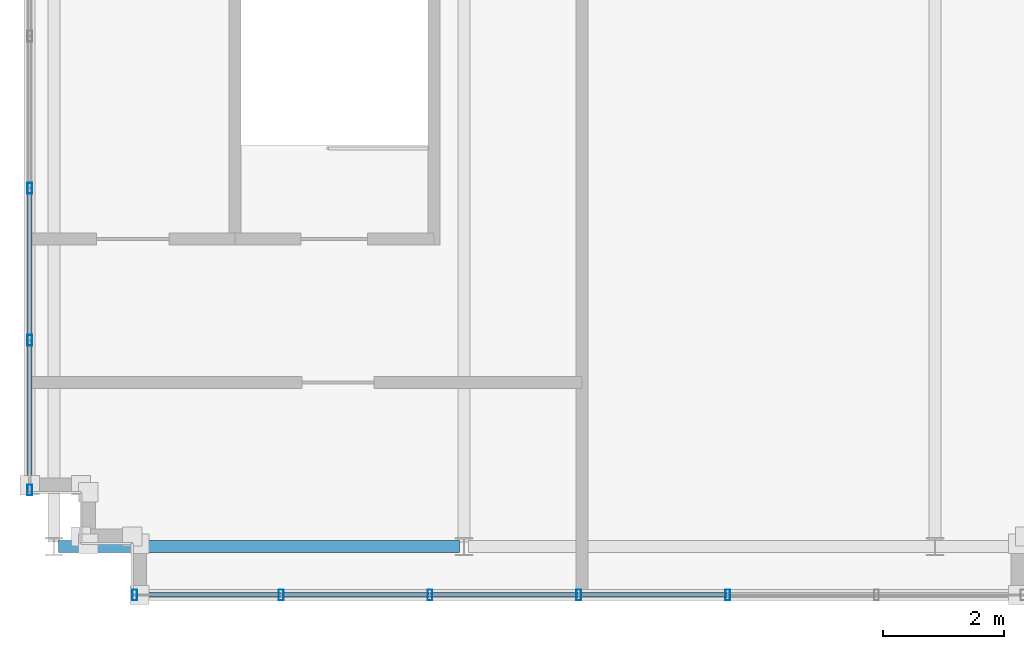
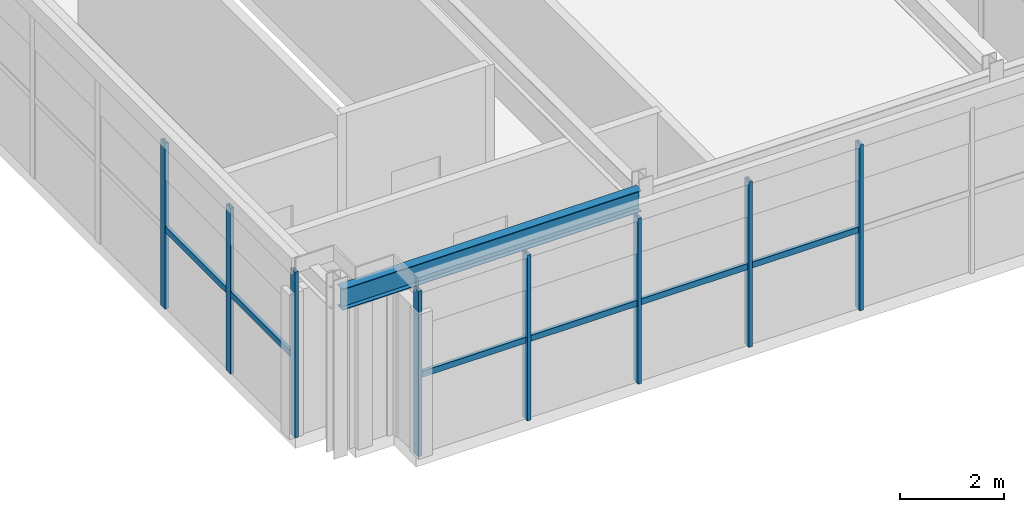
# One storey, part 3 of 25: 14 members, 1 beam, 2 elements without a shape of their own.
"""IFC4 building model written with IfcOpenShell, lengths in metres."""

from ifc_helpers import new_model, si_unit, direction, frame, origin, origin_2d, place, context, subcontext, project, spatial, hollow_rectangle, i_section, extrude, source, transform, mapped, material, material_profile, profile_set, type_object, element, aggregate, save


model = new_model("IFC4")

# Units and contexts
model_context = context("Model", 3, precision=1e-05, world=origin(), true_north=direction((0.0, 1.0)))
body_context = subcontext(model_context, "Body", "Model", "MODEL_VIEW")
ifc_project = project(units=[si_unit("LENGTHUNIT", "METRE"), si_unit("AREAUNIT", "SQUARE_METRE"), si_unit("VOLUMEUNIT", "CUBIC_METRE"), si_unit("PLANEANGLEUNIT", "RADIAN"), si_unit("MASSUNIT", "GRAM", prefix="KILO")], contexts=[model_context])

# Site, building, storey
site_placement = place(None, origin())
site = spatial("IfcSite", under=ifc_project, at=site_placement, CompositionType="ELEMENT")
building_placement = place(site_placement, origin())
building = spatial("IfcBuilding", under=site, at=building_placement, Name="Trelvane Seafront Commons", CompositionType="ELEMENT")
storey_placement = place(building_placement, frame((0.0, 0.0, 320.89990234375)))
storey = spatial("IfcBuildingStorey", under=building, at=storey_placement, Name="L83", CompositionType="ELEMENT", Elevation=320.89990234375)

# Beam
ifc_material_1 = material(Name="Steel SM355 (S355)", Category="steel")
ifc_material_profile_1 = material_profile(ifc_material_1, i_section(OverallWidth=0.199951171875, OverallDepth=0.5, WebThickness=0.010009765625, FlangeThickness=0.01611328125, at=origin_2d()), Name="H-500x200x10x16")
ifc_profile_set_1 = profile_set([ifc_material_profile_1], Name="Steel SM355 (S355)")
beam_type = type_object("IfcBeamType", Name="STR-CROWN-FRAME-RING", PredefinedType="SPANDREL", material=ifc_profile_set_1)
shared_shape_1 = source(origin(), body_context, "Body", "SweptSolid", [
    extrude(i_section(OverallWidth=0.199951171875, OverallDepth=0.5, WebThickness=0.010009765625, FlangeThickness=0.01611328125, at=origin_2d()), origin(), (0.0, 0.0, 1.0), 6.64990234375),
])
beam_placement = place(storey_placement, frame((8.875, 18.199951171875, 3.650146484375), z_axis=(1.0, 0.0, 0.0), x_axis=(0.0, 1.0, 0.0)))
element("IfcBeam", 1, at=beam_placement, inside=storey, type_object=beam_type, Name="L83 CROWN FRAME Ring Beam G-01", PredefinedType="SPANDREL", context=body_context, shape_type="MappedRepresentation", body=[
    mapped(shared_shape_1, transform((0.0, 0.0, 0.0), x_axis=(1.0, 0.0, 0.0), y_axis=(0.0, 1.0, 0.0), z_axis=(0.0, 0.0, 1.0), scale=1.0)),
])

# Curtain wall, members
ifc_material_2 = material(Name="Anodised pale-silver aluminium", Category="aluminium")
curtain_wall_type = type_object("IfcCurtainWallType", Name="ARCH-CW6-CROWN", PredefinedType="NOTDEFINED", material=ifc_material_2)
curtain_wall_1_placement = place(storey_placement, origin())
curtain_wall_1 = element("IfcCurtainWall", 2, at=curtain_wall_1_placement, inside=storey, type_object=curtain_wall_type, Name="CW-L83-0160", PredefinedType="NOTDEFINED")
ifc_material_profile_2 = material_profile(ifc_material_2, hollow_rectangle(XDim=0.080078125, YDim=0.179931640625, WallThickness=0.00439453125, at=origin_2d()), Name="MULL-80x180x4.5")
ifc_profile_set_2 = profile_set([ifc_material_profile_2], Name="Anodised pale-silver aluminium")
member_type_1 = type_object("IfcMemberType", Name="ARCH-CW-MULL-180", PredefinedType="MULLION", material=ifc_profile_set_2)
shared_shape_2 = source(origin(), body_context, "Body", "SweptSolid", [
    extrude(hollow_rectangle(XDim=0.080078125, YDim=0.179931640625, WallThickness=0.00439453125, at=origin_2d()), origin(), (0.0, 0.0, 1.0), 3.900146484375),
])
member_1_placement = place(storey_placement, frame((8.39990234375, 19.139892578125, 0.0), z_axis=(0.0, 0.0, 1.0), x_axis=(1.0, 0.0, 0.0)))
member_1 = element("IfcMember", 3, at=member_1_placement, type_object=member_type_1, Name="CW-L83-0160-M00", PredefinedType="MULLION", context=body_context, shape_type="MappedRepresentation", body=[
    mapped(shared_shape_2, transform((0.0, 0.0, 0.0), x_axis=(1.0, 0.0, 0.0), y_axis=(0.0, 1.0, 0.0), z_axis=(0.0, 0.0, 1.0), scale=1.0)),
])
member_2_placement = place(storey_placement, frame((8.39990234375, 21.6201171875, 0.0), z_axis=(0.0, 0.0, 1.0), x_axis=(1.0, 0.0, 0.0)))
member_2 = element("IfcMember", 4, at=member_2_placement, type_object=member_type_1, Name="CW-L83-0160-M01", PredefinedType="MULLION", context=body_context, shape_type="MappedRepresentation", body=[
    mapped(shared_shape_2, transform((0.0, 0.0, 0.0), x_axis=(1.0, 0.0, 0.0), y_axis=(0.0, 1.0, 0.0), z_axis=(0.0, 0.0, 1.0), scale=1.0)),
])
member_3_placement = place(storey_placement, frame((8.39990234375, 24.139892578125, 0.0), z_axis=(0.0, 0.0, 1.0), x_axis=(1.0, 0.0, 0.0)))
member_3 = element("IfcMember", 5, at=member_3_placement, type_object=member_type_1, Name="CW-L83-0160-M02", PredefinedType="MULLION", context=body_context, shape_type="MappedRepresentation", body=[
    mapped(shared_shape_2, transform((0.0, 0.0, 0.0), x_axis=(1.0, 0.0, 0.0), y_axis=(0.0, 1.0, 0.0), z_axis=(0.0, 0.0, 1.0), scale=1.0)),
])

curtain_wall_2_placement = place(storey_placement, origin())
curtain_wall_2 = element("IfcCurtainWall", 6, at=curtain_wall_2_placement, inside=storey, type_object=curtain_wall_type, Name="CW-L83-0163", PredefinedType="NOTDEFINED")
member_4_placement = place(storey_placement, frame((19.966796875, 17.39990234375, 0.0), z_axis=(0.0, 0.0, 1.0), x_axis=(1.0, 0.0, 0.0)))
member_4 = element("IfcMember", 7, at=member_4_placement, type_object=member_type_1, Name="CW-L83-0163-M02", PredefinedType="MULLION", context=body_context, shape_type="MappedRepresentation", body=[
    mapped(shared_shape_2, transform((0.0, 0.0, 0.0), x_axis=(1.0, 0.0, 0.0), y_axis=(0.0, 1.0, 0.0), z_axis=(0.0, 0.0, 1.0), scale=1.0)),
])
member_5_placement = place(storey_placement, frame((17.5, 17.39990234375, 0.0), z_axis=(0.0, 0.0, 1.0), x_axis=(1.0, 0.0, 0.0)))
member_5 = element("IfcMember", 8, at=member_5_placement, type_object=member_type_1, Name="CW-L83-0163-M03", PredefinedType="MULLION", context=body_context, shape_type="MappedRepresentation", body=[
    mapped(shared_shape_2, transform((0.0, 0.0, 0.0), x_axis=(1.0, 0.0, 0.0), y_axis=(0.0, 1.0, 0.0), z_axis=(0.0, 0.0, 1.0), scale=1.0)),
])
member_6_placement = place(storey_placement, frame((15.033203125, 17.39990234375, 0.0), z_axis=(0.0, 0.0, 1.0), x_axis=(1.0, 0.0, 0.0)))
member_6 = element("IfcMember", 9, at=member_6_placement, type_object=member_type_1, Name="CW-L83-0163-M04", PredefinedType="MULLION", context=body_context, shape_type="MappedRepresentation", body=[
    mapped(shared_shape_2, transform((0.0, 0.0, 0.0), x_axis=(1.0, 0.0, 0.0), y_axis=(0.0, 1.0, 0.0), z_axis=(0.0, 0.0, 1.0), scale=1.0)),
])
member_7_placement = place(storey_placement, frame((12.566650390625, 17.39990234375, 0.0), z_axis=(0.0, 0.0, 1.0), x_axis=(1.0, 0.0, 0.0)))
member_7 = element("IfcMember", 10, at=member_7_placement, type_object=member_type_1, Name="CW-L83-0163-M05", PredefinedType="MULLION", context=body_context, shape_type="MappedRepresentation", body=[
    mapped(shared_shape_2, transform((0.0, 0.0, 0.0), x_axis=(1.0, 0.0, 0.0), y_axis=(0.0, 1.0, 0.0), z_axis=(0.0, 0.0, 1.0), scale=1.0)),
])
member_8_placement = place(storey_placement, frame((10.139892578125, 17.39990234375, 0.0), z_axis=(0.0, 0.0, 1.0), x_axis=(1.0, 0.0, 0.0)))
member_8 = element("IfcMember", 11, at=member_8_placement, type_object=member_type_1, Name="CW-L83-0163-M06", PredefinedType="MULLION", context=body_context, shape_type="MappedRepresentation", body=[
    mapped(shared_shape_2, transform((0.0, 0.0, 0.0), x_axis=(1.0, 0.0, 0.0), y_axis=(0.0, 1.0, 0.0), z_axis=(0.0, 0.0, 1.0), scale=1.0)),
])

# Member
ifc_material_profile_3 = material_profile(ifc_material_2, hollow_rectangle(XDim=0.074951171875, YDim=0.139892578125, WallThickness=0.00390625, at=origin_2d()), Name="TRAN-75x140x4")
ifc_profile_set_3 = profile_set([ifc_material_profile_3], Name="Anodised pale-silver aluminium")
member_type_2 = type_object("IfcMemberType", Name="ARCH-CW-TRAN-140", PredefinedType="USERDEFINED", material=ifc_profile_set_3)
shared_shape_3 = source(origin(), body_context, "Body", "SweptSolid", [
    extrude(hollow_rectangle(XDim=0.074951171875, YDim=0.139892578125, WallThickness=0.00390625, at=origin_2d()), origin(), (0.0, 0.0, 1.0), 2.495849609375),
])
member_9_placement = place(storey_placement, frame((8.39990234375, 19.112060546875, 1.8720703125), z_axis=(0.0, 1.0, 0.0), x_axis=(-1.0, 0.0, 0.0)))
member_9 = element("IfcMember", 12, at=member_9_placement, type_object=member_type_2, Name="CW-L83-0160-T00", ObjectType="TRANSOM", PredefinedType="USERDEFINED", context=body_context, shape_type="MappedRepresentation", body=[
    mapped(shared_shape_3, transform((0.0, 0.0, 0.0), x_axis=(1.0, 0.0, 0.0), y_axis=(0.0, 1.0, 0.0), z_axis=(0.0, 0.0, 1.0), scale=1.0)),
])

member_10_placement = place(storey_placement, frame((8.39990234375, 21.632080078125, 1.8720703125), z_axis=(0.0, 1.0, 0.0), x_axis=(-1.0, 0.0, 0.0)))
member_10 = element("IfcMember", 13, at=member_10_placement, type_object=member_type_2, Name="CW-L83-0160-T01", ObjectType="TRANSOM", PredefinedType="USERDEFINED", context=body_context, shape_type="MappedRepresentation", body=[
    mapped(shared_shape_3, transform((0.0, 0.0, 0.0), x_axis=(1.0, 0.0, 0.0), y_axis=(0.0, 1.0, 0.0), z_axis=(0.0, 0.0, 1.0), scale=1.0)),
])

aggregate(curtain_wall_1, [member_1, member_2, member_3, member_9, member_10])

shared_shape_4 = source(origin(), body_context, "Body", "SweptSolid", [
    extrude(hollow_rectangle(XDim=0.074951171875, YDim=0.139892578125, WallThickness=0.00390625, at=origin_2d()), origin(), (0.0, 0.0, 1.0), 2.442626953125),
])
member_11_placement = place(storey_placement, frame((19.95458984375, 17.39990234375, 1.8720703125), z_axis=(-1.0, 0.0, 0.0), x_axis=(0.0, -1.0, 0.0)))
member_11 = element("IfcMember", 14, at=member_11_placement, type_object=member_type_2, Name="CW-L83-0163-T02", ObjectType="TRANSOM", PredefinedType="USERDEFINED", context=body_context, shape_type="MappedRepresentation", body=[
    mapped(shared_shape_4, transform((0.0, 0.0, 0.0), x_axis=(1.0, 0.0, 0.0), y_axis=(0.0, 1.0, 0.0), z_axis=(0.0, 0.0, 1.0), scale=1.0)),
])

member_12_placement = place(storey_placement, frame((17.488037109375, 17.39990234375, 1.8720703125), z_axis=(-1.0, 0.0, 0.0), x_axis=(0.0, -1.0, 0.0)))
member_12 = element("IfcMember", 15, at=member_12_placement, type_object=member_type_2, Name="CW-L83-0163-T03", ObjectType="TRANSOM", PredefinedType="USERDEFINED", context=body_context, shape_type="MappedRepresentation", body=[
    mapped(shared_shape_4, transform((0.0, 0.0, 0.0), x_axis=(1.0, 0.0, 0.0), y_axis=(0.0, 1.0, 0.0), z_axis=(0.0, 0.0, 1.0), scale=1.0)),
])

member_13_placement = place(storey_placement, frame((15.021240234375, 17.39990234375, 1.8720703125), z_axis=(-1.0, 0.0, 0.0), x_axis=(0.0, -1.0, 0.0)))
member_13 = element("IfcMember", 16, at=member_13_placement, type_object=member_type_2, Name="CW-L83-0163-T04", ObjectType="TRANSOM", PredefinedType="USERDEFINED", context=body_context, shape_type="MappedRepresentation", body=[
    mapped(shared_shape_4, transform((0.0, 0.0, 0.0), x_axis=(1.0, 0.0, 0.0), y_axis=(0.0, 1.0, 0.0), z_axis=(0.0, 0.0, 1.0), scale=1.0)),
])

member_14_placement = place(storey_placement, frame((12.5546875, 17.39990234375, 1.8720703125), z_axis=(-1.0, 0.0, 0.0), x_axis=(0.0, -1.0, 0.0)))
member_14 = element("IfcMember", 17, at=member_14_placement, type_object=member_type_2, Name="CW-L83-0163-T05", ObjectType="TRANSOM", PredefinedType="USERDEFINED", context=body_context, shape_type="MappedRepresentation", body=[
    mapped(shared_shape_4, transform((0.0, 0.0, 0.0), x_axis=(1.0, 0.0, 0.0), y_axis=(0.0, 1.0, 0.0), z_axis=(0.0, 0.0, 1.0), scale=1.0)),
])

aggregate(curtain_wall_2, [member_4, member_5, member_6, member_7, member_8, member_11, member_12, member_13, member_14])

save(model, "model.ifc")
